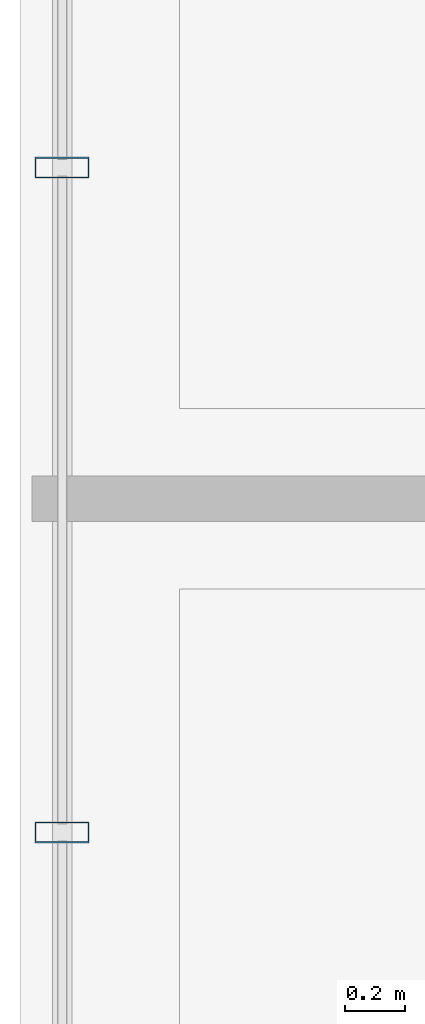
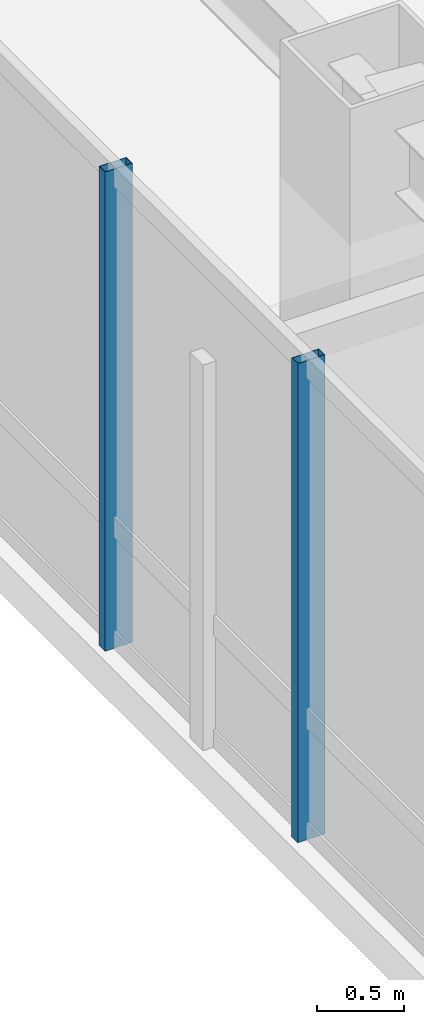
# One storey, part 6 of 27: 2 members, 1 element without a shape of its own.
"""IFC4 building model written with IfcOpenShell, lengths in metres."""

from ifc_helpers import new_model, si_unit, direction, frame, origin, origin_2d, place, context, subcontext, project, spatial, hollow_rectangle, extrude, material, layer, layer_set, material_profile, profile_set, type_object, element, aggregate, save


model = new_model("IFC4")

# Units and contexts
model_context = context("Model", 3, precision=1e-05, world=origin(), true_north=direction((0.0, 1.0)))
body_context = subcontext(model_context, "Body", "Model", "MODEL_VIEW")
ifc_project = project(units=[si_unit("LENGTHUNIT", "METRE"), si_unit("AREAUNIT", "SQUARE_METRE"), si_unit("VOLUMEUNIT", "CUBIC_METRE"), si_unit("PLANEANGLEUNIT", "RADIAN"), si_unit("MASSUNIT", "GRAM", prefix="KILO")], contexts=[model_context])

# Site, building, storey
site_placement = place(None, origin())
site = spatial("IfcSite", under=ifc_project, at=site_placement, CompositionType="ELEMENT")
building_placement = place(site_placement, origin())
building = spatial("IfcBuilding", under=site, at=building_placement, Name="Hatsunagi Terrace Concourse", CompositionType="ELEMENT")
storey_placement = place(building_placement, frame((0.0, 0.0, 156.449951171875)))
storey = spatial("IfcBuildingStorey", under=building, at=storey_placement, Name="L41", CompositionType="ELEMENT", Elevation=156.449951171875)

# Curtain wall, members
ifc_material_1 = material(Name="Anodised Aluminium Alloy 6063-T5", Category="aluminium")
ifc_layer = layer(ifc_material_1, 0.199951171875)
ifc_layer_set = layer_set([ifc_layer], Name="OfficeZone1_CW03")
curtain_wall_type = type_object("IfcCurtainWallType", Name="OfficeZone1_CW03", PredefinedType="NOTDEFINED", material=ifc_layer_set)
curtain_wall_placement = place(storey_placement, origin())
curtain_wall = element("IfcCurtainWall", 1, at=curtain_wall_placement, inside=storey, type_object=curtain_wall_type, Name="Unitised Curtain Wall CW-03 CW-L41-09", PredefinedType="NOTDEFINED")
ifc_material_2 = material(Name="Anodised Aluminium Alloy 6063-T5", Category="aluminium")
ifc_material_profile = material_profile(ifc_material_2, hollow_rectangle(XDim=0.070068359375, YDim=0.179931640625, WallThickness=0.00390625, at=origin_2d()), Name="ALU-MUL-180x70x4")
ifc_profile_set = profile_set([ifc_material_profile], Name="Anodised Aluminium Alloy 6063-T5")
member_type = type_object("IfcMemberType", Name="CurtainWallMullion_180x70", PredefinedType="MULLION", material=ifc_profile_set)
member_1_placement = place(storey_placement, frame((9.739990234375, 34.69189453125, 0.0), z_axis=(0.0, 0.0, 1.0), x_axis=(0.0, 1.0, 0.0)))
member_1 = element("IfcMember", 2, at=member_1_placement, type_object=member_type, Name="Curtain Wall Mullion MUL-02", PredefinedType="MULLION", context=body_context, shape_type="SweptSolid", body=[
    extrude(hollow_rectangle(XDim=0.070068359375, YDim=0.179931640625, WallThickness=0.00390625, at=origin_2d()), origin(), (0.0, 0.0, 1.0), 3.35009765625),
])
member_2_placement = place(storey_placement, frame((9.739990234375, 36.89990234375, 0.0), z_axis=(0.0, 0.0, 1.0), x_axis=(0.0, 1.0, 0.0)))
member_2 = element("IfcMember", 3, at=member_2_placement, type_object=member_type, Name="Curtain Wall Mullion MUL-02", PredefinedType="MULLION", context=body_context, shape_type="SweptSolid", body=[
    extrude(hollow_rectangle(XDim=0.070068359375, YDim=0.179931640625, WallThickness=0.00390625, at=origin_2d()), origin(), (0.0, 0.0, 1.0), 3.35009765625),
])
aggregate(curtain_wall, [member_1, member_2])

save(model, "model.ifc")
